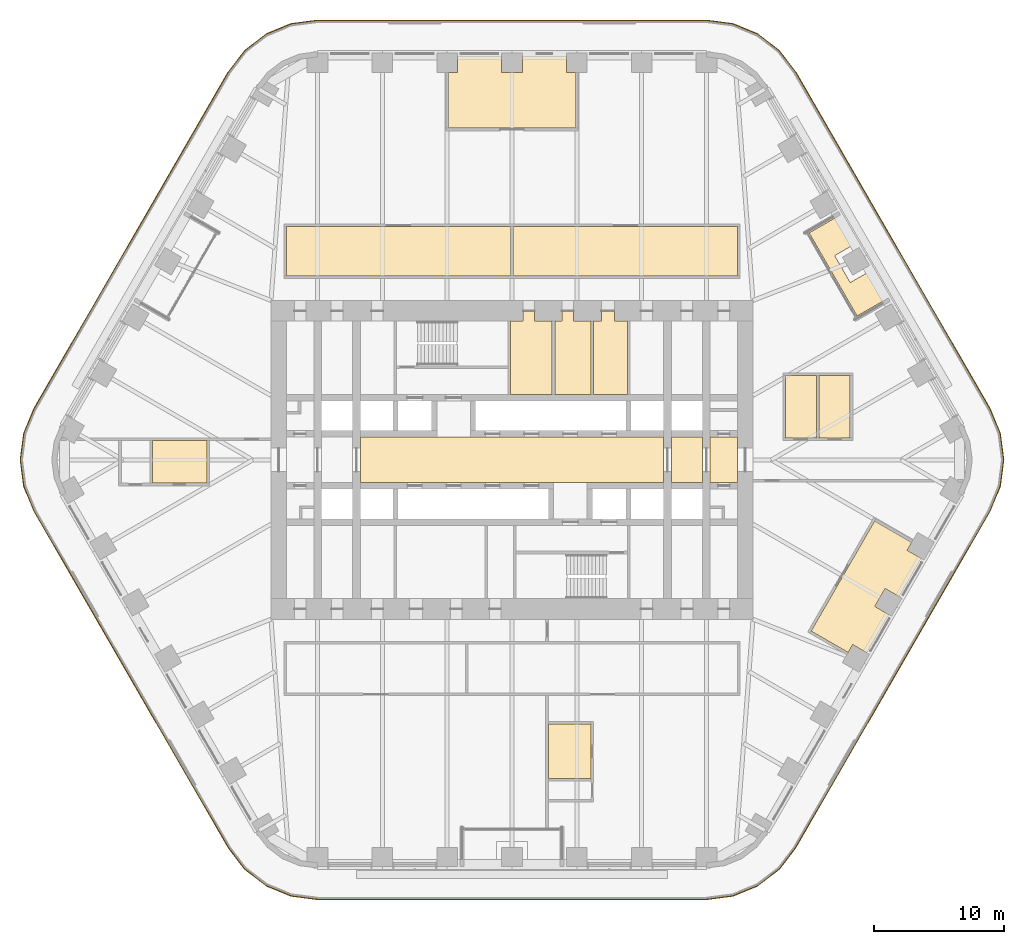
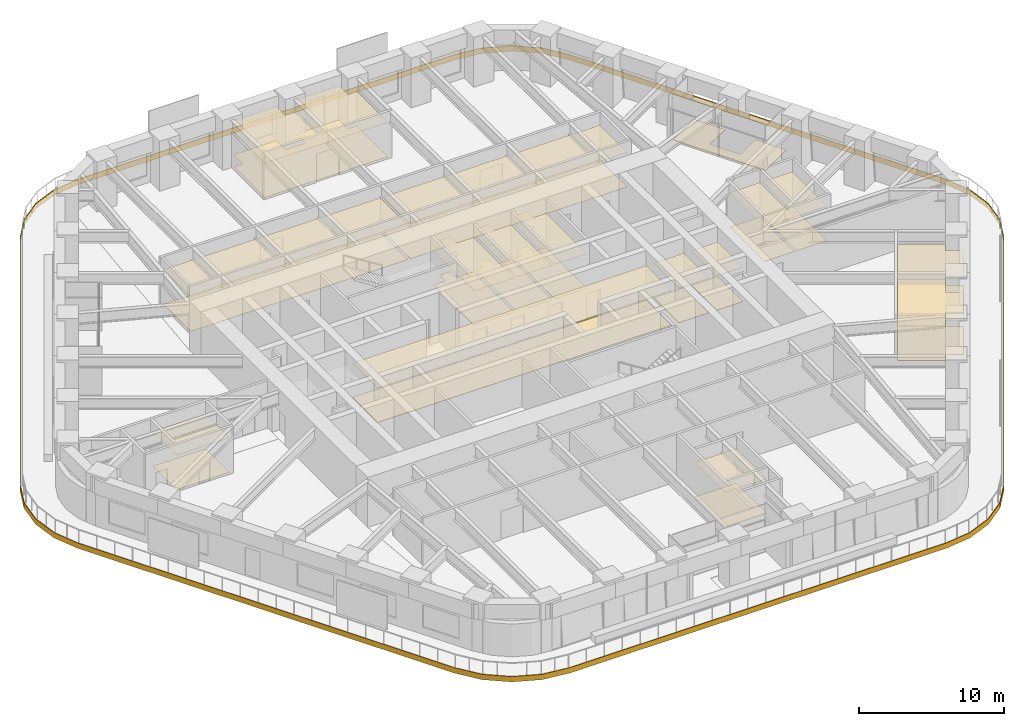
# One storey, part 23 of 24: 16 coverings.
"""IFC4 building model written with IfcOpenShell, lengths in metres."""

import ifcopenshell
import ifcopenshell.guid

model = None  # the IFC model being written
_history = None  # IfcOwnerHistory: only IFC2X3 demands one
_inside = {}  # id of a spatial element -> (the spatial element, [elements in it])
_under = {}  # id of a project, library or spatial element -> (it, [spatial elements below it])
_declared = {}  # id of a project -> (the project, [libraries it declares])
_typed = {}  # id of a type object -> (the type object, [elements of that type])
_made_of = {}  # id of a material, layer set ... -> (it, [elements and type objects made of it])


def new_model(schema):
    """Start an empty IFC model of exactly this schema.

    Asked for "IFC4X3", IfcOpenShell would pick the latest addendum, in which some entities
    have other attributes; the version numbers below select the first issue.
    IFC2X3 requires an IfcOwnerHistory on every rooted entity: one is made here for all.
    """
    global model, _history
    if schema == "IFC4X3":
        model = ifcopenshell.file(schema_version=(4, 3, 0, 0))
    else:
        model = ifcopenshell.file(schema=schema)
    _inside.clear()
    _under.clear()
    _declared.clear()
    _typed.clear()
    _made_of.clear()
    _history = None
    if model.schema == "IFC2X3":
        org = make("IfcOrganization", Name="unknown")
        user = make(
            "IfcPersonAndOrganization",
            ThePerson=make("IfcPerson", FamilyName="unknown"),
            TheOrganization=org,
        )
        app = make(
            "IfcApplication",
            ApplicationDeveloper=org,
            Version="unknown",
            ApplicationFullName="unknown",
            ApplicationIdentifier="unknown",
        )
        _history = make(
            "IfcOwnerHistory",
            OwningUser=user,
            OwningApplication=app,
            ChangeAction="ADDED",
            CreationDate=0,
        )
    return model


def make(cls, **values):
    """One entity of the class cls with the attributes given. An attribute that is None is left unset."""
    return model.create_entity(
        cls, **{name: value for name, value in values.items() if value is not None}
    )


def rooted(cls, **values):
    """An entity with a GlobalId (a new one), such as an element, a storey or a relation."""
    return make(cls, GlobalId=ifcopenshell.guid.new(), OwnerHistory=_history, **values)


def si_unit(unit_type, name, prefix=None):
    """IfcSIUnit, for example si_unit("LENGTHUNIT", "METRE", prefix="MILLI")."""
    return make("IfcSIUnit", UnitType=unit_type, Prefix=prefix, Name=name)


def assignment(units):
    """IfcUnitAssignment: the units of a project."""
    return None if units is None else make("IfcUnitAssignment", Units=units)


def point(xyz):
    """IfcCartesianPoint."""
    return None if xyz is None else make("IfcCartesianPoint", Coordinates=xyz)


def direction(xyz):
    """IfcDirection."""
    return None if xyz is None else make("IfcDirection", DirectionRatios=xyz)


def frame(location, z_axis=None, x_axis=None):
    """IfcAxis2Placement3D, a coordinate frame: its origin and axes. An axis left out is left unset."""
    return make(
        "IfcAxis2Placement3D",
        Location=point(location),
        Axis=direction(z_axis),
        RefDirection=direction(x_axis),
    )


def origin():
    """The frame at (0, 0, 0) with its axes left unset."""
    return frame((0.0, 0.0, 0.0))


def place(relative_to, where):
    """IfcLocalPlacement: puts the frame where relative to a parent placement (None: the world)."""
    return make(
        "IfcLocalPlacement", PlacementRelTo=relative_to, RelativePlacement=where
    )


def context(
    kind, dimensions, precision=None, world=None, true_north=None, identifier=None
):
    """IfcGeometricRepresentationContext, for example the 3D "Model" context."""
    return make(
        "IfcGeometricRepresentationContext",
        ContextIdentifier=identifier,
        ContextType=kind,
        CoordinateSpaceDimension=dimensions,
        Precision=precision,
        WorldCoordinateSystem=world,
        TrueNorth=true_north,
    )


def subcontext(parent, identifier, kind, view, scale=None):
    """IfcGeometricRepresentationSubContext, for example "Body" below "Model"."""
    return make(
        "IfcGeometricRepresentationSubContext",
        ContextIdentifier=identifier,
        ContextType=kind,
        ParentContext=parent,
        TargetScale=scale,
        TargetView=view,
    )


def project(units=None, contexts=None):
    """IfcProject with its units and contexts."""
    return rooted(
        "IfcProject",
        Name="project",
        RepresentationContexts=contexts,
        UnitsInContext=assignment(units),
    )


def spatial(cls, under=None, at=None, **own):
    """A site, building, storey or space (cls), placed at a placement, below another one or the project."""
    s = rooted(cls, ObjectPlacement=at, **own)
    if under is not None:
        _under.setdefault(under.id(), (under, []))[1].append(s)
    return s


def polyline(points):
    """IfcPolyline through the points."""
    return make("IfcPolyline", Points=[point(p) for p in points])


def outline(outer, holes=None, kind="AREA"):
    """IfcArbitraryClosedProfileDef: a profile drawn as a closed curve; with holes, ...WithVoids."""
    if holes is None:
        return make("IfcArbitraryClosedProfileDef", ProfileType=kind, OuterCurve=outer)
    return make(
        "IfcArbitraryProfileDefWithVoids",
        ProfileType=kind,
        OuterCurve=outer,
        InnerCurves=holes,
    )


def extrude(swept, where, along, depth):
    """IfcExtrudedAreaSolid: the profile swept, set in the frame where, extruded along a direction by depth."""
    return make(
        "IfcExtrudedAreaSolid",
        SweptArea=swept,
        Position=where,
        ExtrudedDirection=direction(along),
        Depth=depth,
    )


def shape(context_of_items, identifier, shape_type, items):
    """IfcShapeRepresentation: the items that make up one representation, for example the "Body"."""
    return make(
        "IfcShapeRepresentation",
        ContextOfItems=context_of_items,
        RepresentationIdentifier=identifier,
        RepresentationType=shape_type,
        Items=items,
    )


def material(Name=None, Category=None):
    """IfcMaterial."""
    return make("IfcMaterial", Name=Name, Category=Category)


def layer(
    of_material, thickness, ventilated=None, Name=None, Category=None, Priority=None
):
    """IfcMaterialLayer: one layer of a wall or slab, of a material (None: an air gap)."""
    return make(
        "IfcMaterialLayer",
        Material=of_material,
        LayerThickness=thickness,
        IsVentilated=ventilated,
        Name=Name,
        Category=Category,
        Priority=Priority,
    )


def layer_set(layers, Name=None):
    """IfcMaterialLayerSet."""
    return make("IfcMaterialLayerSet", MaterialLayers=layers, LayerSetName=Name)


def made_of(thing, what):
    """Note that an element or type object is made of a material, layer set ...; save() writes the relation."""
    if what is not None:
        _made_of.setdefault(what.id(), (what, []))[1].append(thing)
    return thing


def type_object(cls, material=None, **own):
    """A type object (cls), such as IfcWallType, which elements share."""
    return made_of(rooted(cls, **own), material)


def element(
    cls,
    number,
    at=None,
    inside=None,
    cuts=None,
    type_object=None,
    material=None,
    context=None,
    identifier="Body",
    shape_type=None,
    held_by="IfcProductDefinitionShape",
    body=None,
    shapes=None,
    **own,
):
    """One element of the class cls, such as IfcWall. Its Tag is "e" and its number.

    at: its placement. inside: the storey or other place that contains it. cuts: it is an
    opening in that element (IfcRelVoidsElement). A single representation is given by context,
    identifier, shape_type and body (its items); several are given by shapes. held_by: the class
    of the entity that holds the representations. save() writes the other relations.
    """
    e = rooted(cls, Tag="e%d" % number, ObjectPlacement=at, **own)
    if body is not None:
        shapes = [shape(context, identifier, shape_type, body)]
    if shapes is not None:
        e.Representation = make(held_by, Representations=shapes)
    if inside is not None:
        _inside.setdefault(inside.id(), (inside, []))[1].append(e)
    if cuts is not None:
        rooted(
            "IfcRelVoidsElement", RelatingBuildingElement=cuts, RelatedOpeningElement=e
        )
    if type_object is not None:
        _typed.setdefault(type_object.id(), (type_object, []))[1].append(e)
    return made_of(e, material)


def aggregate(whole, parts):
    """IfcRelAggregates: a whole, such as a stair, and the parts it consists of."""
    return rooted("IfcRelAggregates", RelatingObject=whole, RelatedObjects=parts)


def save(model, path):
    """Write the relations noted so far, then the file.

    IfcRelAggregates (storeys below a building ...), IfcRelContainedInSpatialStructure (elements
    in a storey), IfcRelDefinesByType, IfcRelAssociatesMaterial and IfcRelDeclares: one each for
    every whole, place, type object, material and project.
    """
    for whole, parts in _under.values():
        aggregate(whole, parts)
    for where, things in _inside.values():
        rooted(
            "IfcRelContainedInSpatialStructure",
            RelatedElements=things,
            RelatingStructure=where,
        )
    for kind, things in _typed.values():
        rooted("IfcRelDefinesByType", RelatedObjects=things, RelatingType=kind)
    for what, things in _made_of.values():
        rooted("IfcRelAssociatesMaterial", RelatedObjects=things, RelatingMaterial=what)
    for by, libraries in _declared.values():
        rooted("IfcRelDeclares", RelatingContext=by, RelatedDefinitions=libraries)
    model.write(path)


model = new_model("IFC4")

# Units and contexts
model_context = context("Model", 3, precision=1e-05, world=origin(), true_north=direction((0.0, 1.0)))
body_context = subcontext(model_context, "Body", "Model", "MODEL_VIEW")
ifc_project = project(units=[si_unit("LENGTHUNIT", "METRE"), si_unit("AREAUNIT", "SQUARE_METRE"), si_unit("VOLUMEUNIT", "CUBIC_METRE"), si_unit("PLANEANGLEUNIT", "RADIAN"), si_unit("MASSUNIT", "GRAM", prefix="KILO")], contexts=[model_context])

# Site, building, storey
site_placement = place(None, origin())
site = spatial("IfcSite", under=ifc_project, at=site_placement, CompositionType="ELEMENT")
building_placement = place(site_placement, origin())
building = spatial("IfcBuilding", under=site, at=building_placement, Name="Tarfa Lantern Tower", CompositionType="ELEMENT")
storey_placement = place(building_placement, frame((0.0, 0.0, 157.300048828125)))
storey = spatial("IfcBuildingStorey", under=building, at=storey_placement, Name="L35", CompositionType="ELEMENT", Elevation=157.300048828125)

# Coverings
ifc_material_1 = material(Name="Mineral fibre acoustic tile on suspension grid", Category="finish")
ifc_layer_1 = layer(ifc_material_1, 0.02001953125)
ifc_layer_set_1 = layer_set([ifc_layer_1], Name="CL1 ACOUSTIC TILE CEILING 20")
covering_type_1 = type_object("IfcCoveringType", Name="CL1 ACOUSTIC TILE CEILING 20", PredefinedType="CEILING", material=ifc_layer_set_1)
covering_1_placement = place(storey_placement, frame((0.0, 0.0, 2.89990234375)))
element("IfcCovering", 1, at=covering_1_placement, inside=storey, type_object=covering_type_1, Name="Ceiling L35 CL1", PredefinedType="CEILING", context=body_context, shape_type="SweptSolid", body=[
    extrude(outline(polyline([(-17.39990234375, 18.0), (-0.10009765625, 18.0), (-0.10009765625, 14.199951171875), (-17.39990234375, 14.199951171875), (-17.39990234375, 18.0)])), origin(), (0.0, 0.0, 1.0), 0.02001953125),
    extrude(outline(polyline([(0.10009765625, 18.0), (17.39990234375, 18.0), (17.39990234375, 14.199951171875), (0.10009765625, 14.199951171875), (0.10009765625, 18.0)])), origin(), (0.0, 0.0, 1.0), 0.02001953125),
    extrude(outline(polyline([(4.90380859375, 25.60009765625), (-4.90380859375, 25.60009765625), (-4.90380859375, 29.89990234375), (-4.20361328125, 29.89990234375), (-4.20361328125, 31.14990234375), (-0.800048828125, 31.14990234375), (-0.800048828125, 29.89990234375), (0.800048828125, 29.89990234375), (0.800048828125, 31.14990234375), (4.20361328125, 31.14990234375), (4.20361328125, 29.89990234375), (4.90380859375, 29.89990234375), (4.90380859375, 25.60009765625)])), origin(), (0.0, 0.0, 1.0), 0.02001953125),
    extrude(outline(polyline([(27.989990234375, -4.719970703125), (30.847900390625, -6.369873046875), (30.497802734375, -6.97607421875), (31.580322265625, -7.60107421875), (29.878662109375, -10.548828125), (28.7958984375, -9.923828125), (27.99609375, -11.3095703125), (29.07861328125, -11.9345703125), (27.376708984375, -14.882080078125), (26.294189453125, -14.257080078125), (25.944091796875, -14.86328125), (23.086181640625, -13.21337890625), (27.989990234375, -4.719970703125)])), origin(), (0.0, 0.0, 1.0), 0.02001953125),
    extrude(outline(polyline([(21.10009765625, 6.5), (23.5, 6.5), (23.5, 1.699951171875), (21.10009765625, 1.699951171875), (21.10009765625, 6.5)])), origin(), (0.0, 0.0, 1.0), 0.02001953125),
    extrude(outline(polyline([(23.699951171875, 6.5), (26.10009765625, 6.5), (26.10009765625, 1.699951171875), (23.699951171875, 1.699951171875), (23.699951171875, 6.5)])), origin(), (0.0, 0.0, 1.0), 0.02001953125),
    extrude(outline(polyline([(-27.7509765625, -1.800048828125), (-27.7509765625, 1.5), (-23.551025390625, 1.5), (-23.551025390625, -1.800048828125), (-27.7509765625, -1.800048828125)])), origin(), (0.0, 0.0, 1.0), 0.02001953125),
    extrude(outline(polyline([(6.10009765625, -24.60009765625), (2.800048828125, -24.60009765625), (2.800048828125, -20.39990234375), (6.10009765625, -20.39990234375), (6.10009765625, -24.60009765625)])), origin(), (0.0, 0.0, 1.0), 0.02001953125),
])
ifc_material_2 = material(Name="Moisture-resistant plasterboard", Category="finish")
ifc_layer_2 = layer(ifc_material_2, 0.014892578125)
ifc_layer_set_2 = layer_set([ifc_layer_2], Name="CL2 MOISTURE-RESISTANT PLASTERBOARD CEILING 15")
covering_type_2 = type_object("IfcCoveringType", Name="CL2 MOISTURE-RESISTANT PLASTERBOARD CEILING 15", PredefinedType="CEILING", material=ifc_layer_set_2)
covering_2_placement = place(storey_placement, frame((0.0, 0.0, 2.89990234375)))
element("IfcCovering", 2, at=covering_2_placement, inside=storey, type_object=covering_type_2, Name="Ceiling L35-09", PredefinedType="CEILING", context=body_context, shape_type="SweptSolid", body=[
    extrude(outline(polyline([(0.85009765625, 10.699951171875), (-0.10009765625, 10.699951171875), (-0.10009765625, 5.050048828125), (3.10009765625, 5.050048828125), (3.10009765625, 10.699951171875), (1.75, 10.699951171875), (1.75, 11.5), (0.85009765625, 11.5), (0.85009765625, 10.699951171875)])), origin(), (0.0, 0.0, 1.0), 0.01513671875),
])
covering_3_placement = place(storey_placement, frame((0.0, 0.0, 2.89990234375)))
element("IfcCovering", 3, at=covering_3_placement, inside=storey, type_object=covering_type_2, Name="Ceiling L35-10", PredefinedType="CEILING", context=body_context, shape_type="SweptSolid", body=[
    extrude(outline(polyline([(3.300048828125, 5.050048828125), (6.10009765625, 5.050048828125), (6.10009765625, 10.699951171875), (4.75, 10.699951171875), (4.75, 11.5), (3.85009765625, 11.5), (3.85009765625, 10.699951171875), (3.300048828125, 10.699951171875), (3.300048828125, 5.050048828125)])), origin(), (0.0, 0.0, 1.0), 0.01513671875),
])
covering_4_placement = place(storey_placement, frame((0.0, 0.0, 2.89990234375)))
element("IfcCovering", 4, at=covering_4_placement, inside=storey, type_object=covering_type_2, Name="Ceiling L35-11", PredefinedType="CEILING", context=body_context, shape_type="SweptSolid", body=[
    extrude(outline(polyline([(6.300048828125, 5.050048828125), (8.89990234375, 5.050048828125), (8.89990234375, 10.699951171875), (7.89990234375, 10.699951171875), (7.89990234375, 11.5), (6.89990234375, 11.5), (6.89990234375, 10.699951171875), (6.300048828125, 10.699951171875), (6.300048828125, 5.050048828125)])), origin(), (0.0, 0.0, 1.0), 0.01513671875),
])
ifc_material_3 = material(Name="Powder-coated aluminium panel", Category="aluminium")
ifc_layer_3 = layer(ifc_material_3, 0.030029296875)
ifc_layer_set_3 = layer_set([ifc_layer_3], Name="CL3 METAL PANEL CEILING 30")
covering_type_3 = type_object("IfcCoveringType", Name="CL3 METAL PANEL CEILING 30", PredefinedType="CEILING", material=ifc_layer_set_3)
covering_5_placement = place(storey_placement, frame((0.0, 0.0, 2.89990234375)))
element("IfcCovering", 5, at=covering_5_placement, inside=storey, type_object=covering_type_3, Name="Ceiling L35-03", PredefinedType="CEILING", context=body_context, shape_type="SweptSolid", body=[
    extrude(outline(polyline([(-11.699951171875, -1.75), (11.699951171875, -1.75), (11.699951171875, 1.75), (-11.699951171875, 1.75), (-11.699951171875, -1.75)])), origin(), (0.0, 0.0, 1.0), 0.030029296875),
])
covering_6_placement = place(storey_placement, frame((0.0, 0.0, 2.89990234375)))
element("IfcCovering", 6, at=covering_6_placement, inside=storey, type_object=covering_type_3, Name="Ceiling L35-04", PredefinedType="CEILING", context=body_context, shape_type="SweptSolid", body=[
    extrude(outline(polyline([(12.300048828125, -1.75), (14.699951171875, -1.75), (14.699951171875, 1.75), (12.300048828125, 1.75), (12.300048828125, -1.75)])), origin(), (0.0, 0.0, 1.0), 0.030029296875),
])
covering_7_placement = place(storey_placement, frame((0.0, 0.0, 2.89990234375)))
element("IfcCovering", 7, at=covering_7_placement, inside=storey, type_object=covering_type_3, Name="Ceiling L35-05", PredefinedType="CEILING", context=body_context, shape_type="SweptSolid", body=[
    extrude(outline(polyline([(15.300048828125, -1.75), (17.39990234375, -1.75), (17.39990234375, 1.75), (15.300048828125, 1.75), (15.300048828125, -1.75)])), origin(), (0.0, 0.0, 1.0), 0.030029296875),
])
ifc_material_4 = material(Name="Nylon carpet tile", Category="finish")
ifc_layer_4 = layer(ifc_material_4, 0.010009765625)
ifc_layer_set_4 = layer_set([ifc_layer_4], Name="FL1 CARPET TILE 10")
covering_type_4 = type_object("IfcCoveringType", Name="FL1 CARPET TILE 10", PredefinedType="FLOORING", material=ifc_layer_set_4)
covering_8_placement = place(storey_placement, origin())
element("IfcCovering", 8, at=covering_8_placement, inside=storey, type_object=covering_type_4, Name="Floor finish L35 FL1", PredefinedType="FLOORING", context=body_context, shape_type="SweptSolid", body=[
    extrude(outline(polyline([(-17.39990234375, 18.0), (-0.10009765625, 18.0), (-0.10009765625, 14.199951171875), (-17.39990234375, 14.199951171875), (-17.39990234375, 18.0)])), origin(), (0.0, 0.0, 1.0), 0.010009765625),
    extrude(outline(polyline([(0.10009765625, 18.0), (17.39990234375, 18.0), (17.39990234375, 14.199951171875), (0.10009765625, 14.199951171875), (0.10009765625, 18.0)])), origin(), (0.0, 0.0, 1.0), 0.010009765625),
    extrude(outline(polyline([(4.90380859375, 25.60009765625), (-4.90380859375, 25.60009765625), (-4.90380859375, 29.89990234375), (-4.20361328125, 29.89990234375), (-4.20361328125, 31.14990234375), (-0.800048828125, 31.14990234375), (-0.800048828125, 29.89990234375), (0.800048828125, 29.89990234375), (0.800048828125, 31.14990234375), (4.20361328125, 31.14990234375), (4.20361328125, 29.89990234375), (4.90380859375, 29.89990234375), (4.90380859375, 25.60009765625)])), origin(), (0.0, 0.0, 1.0), 0.010009765625),
    extrude(outline(polyline([(27.989990234375, -4.719970703125), (30.847900390625, -6.369873046875), (30.497802734375, -6.97607421875), (31.580322265625, -7.60107421875), (29.878662109375, -10.548828125), (28.7958984375, -9.923828125), (27.99609375, -11.3095703125), (29.07861328125, -11.9345703125), (27.376708984375, -14.882080078125), (26.294189453125, -14.257080078125), (25.944091796875, -14.86328125), (23.086181640625, -13.21337890625), (27.989990234375, -4.719970703125)])), origin(), (0.0, 0.0, 1.0), 0.010009765625),
    extrude(outline(polyline([(21.10009765625, 6.5), (23.5, 6.5), (23.5, 1.699951171875), (21.10009765625, 1.699951171875), (21.10009765625, 6.5)])), origin(), (0.0, 0.0, 1.0), 0.010009765625),
    extrude(outline(polyline([(23.699951171875, 6.5), (26.10009765625, 6.5), (26.10009765625, 1.699951171875), (23.699951171875, 1.699951171875), (23.699951171875, 6.5)])), origin(), (0.0, 0.0, 1.0), 0.010009765625),
    extrude(outline(polyline([(-27.7509765625, -1.800048828125), (-27.7509765625, 1.5), (-23.551025390625, 1.5), (-23.551025390625, -1.800048828125), (-27.7509765625, -1.800048828125)])), origin(), (0.0, 0.0, 1.0), 0.010009765625),
    extrude(outline(polyline([(6.10009765625, -24.60009765625), (2.800048828125, -24.60009765625), (2.800048828125, -20.39990234375), (6.10009765625, -20.39990234375), (6.10009765625, -24.60009765625)])), origin(), (0.0, 0.0, 1.0), 0.010009765625),
])
ifc_material_5 = material(Name="Honed limestone flooring", Category="masonry")
ifc_layer_5 = layer(ifc_material_5, 0.030029296875)
ifc_layer_set_5 = layer_set([ifc_layer_5], Name="FL2 STONE FLOORING 30")
covering_type_5 = type_object("IfcCoveringType", Name="FL2 STONE FLOORING 30", PredefinedType="FLOORING", material=ifc_layer_set_5)
covering_9_placement = place(storey_placement, origin())
element("IfcCovering", 9, at=covering_9_placement, inside=storey, type_object=covering_type_5, Name="Floor finish L35-03", PredefinedType="FLOORING", context=body_context, shape_type="SweptSolid", body=[
    extrude(outline(polyline([(-11.699951171875, -1.75), (11.699951171875, -1.75), (11.699951171875, 1.75), (-11.699951171875, 1.75), (-11.699951171875, -1.75)])), origin(), (0.0, 0.0, 1.0), 0.030029296875),
])
covering_10_placement = place(storey_placement, origin())
element("IfcCovering", 10, at=covering_10_placement, inside=storey, type_object=covering_type_5, Name="Floor finish L35-04", PredefinedType="FLOORING", context=body_context, shape_type="SweptSolid", body=[
    extrude(outline(polyline([(12.300048828125, -1.75), (14.699951171875, -1.75), (14.699951171875, 1.75), (12.300048828125, 1.75), (12.300048828125, -1.75)])), origin(), (0.0, 0.0, 1.0), 0.030029296875),
])
covering_11_placement = place(storey_placement, origin())
element("IfcCovering", 11, at=covering_11_placement, inside=storey, type_object=covering_type_5, Name="Floor finish L35-05", PredefinedType="FLOORING", context=body_context, shape_type="SweptSolid", body=[
    extrude(outline(polyline([(15.300048828125, -1.75), (17.39990234375, -1.75), (17.39990234375, 1.75), (15.300048828125, 1.75), (15.300048828125, -1.75)])), origin(), (0.0, 0.0, 1.0), 0.030029296875),
])
ifc_material_6 = material(Name="Porcelain floor tile", Category="finish")
ifc_layer_6 = layer(ifc_material_6, 0.011962890625)
ifc_layer_set_6 = layer_set([ifc_layer_6], Name="FL3 CERAMIC TILE 12")
covering_type_6 = type_object("IfcCoveringType", Name="FL3 CERAMIC TILE 12", PredefinedType="FLOORING", material=ifc_layer_set_6)
covering_12_placement = place(storey_placement, origin())
element("IfcCovering", 12, at=covering_12_placement, inside=storey, type_object=covering_type_6, Name="Floor finish L35-09", PredefinedType="FLOORING", context=body_context, shape_type="SweptSolid", body=[
    extrude(outline(polyline([(0.85009765625, 10.699951171875), (-0.10009765625, 10.699951171875), (-0.10009765625, 5.050048828125), (3.10009765625, 5.050048828125), (3.10009765625, 10.699951171875), (1.75, 10.699951171875), (1.75, 11.5), (0.85009765625, 11.5), (0.85009765625, 10.699951171875)])), origin(), (0.0, 0.0, 1.0), 0.011962890625),
])
covering_13_placement = place(storey_placement, origin())
element("IfcCovering", 13, at=covering_13_placement, inside=storey, type_object=covering_type_6, Name="Floor finish L35-10", PredefinedType="FLOORING", context=body_context, shape_type="SweptSolid", body=[
    extrude(outline(polyline([(3.300048828125, 5.050048828125), (6.10009765625, 5.050048828125), (6.10009765625, 10.699951171875), (4.75, 10.699951171875), (4.75, 11.5), (3.85009765625, 11.5), (3.85009765625, 10.699951171875), (3.300048828125, 10.699951171875), (3.300048828125, 5.050048828125)])), origin(), (0.0, 0.0, 1.0), 0.011962890625),
])
covering_14_placement = place(storey_placement, origin())
element("IfcCovering", 14, at=covering_14_placement, inside=storey, type_object=covering_type_6, Name="Floor finish L35-11", PredefinedType="FLOORING", context=body_context, shape_type="SweptSolid", body=[
    extrude(outline(polyline([(6.300048828125, 5.050048828125), (8.89990234375, 5.050048828125), (8.89990234375, 10.699951171875), (7.89990234375, 10.699951171875), (7.89990234375, 11.5), (6.89990234375, 11.5), (6.89990234375, 10.699951171875), (6.300048828125, 10.699951171875), (6.300048828125, 5.050048828125)])), origin(), (0.0, 0.0, 1.0), 0.011962890625),
])
ifc_material_7 = material(Name="Porcelain pavers on pedestals", Category="ceramic")
ifc_layer_7 = layer(ifc_material_7, 0.0400390625)
ifc_layer_set_7 = layer_set([ifc_layer_7], Name="LP1 LOGGIA PAVING 40")
covering_type_7 = type_object("IfcCoveringType", Name="LP1 LOGGIA PAVING 40", PredefinedType="FLOORING", material=ifc_layer_set_7)
covering_15_placement = place(storey_placement, origin())
element("IfcCovering", 15, at=covering_15_placement, inside=storey, type_object=covering_type_7, Name="Loggia paving NE", PredefinedType="FLOORING", context=body_context, shape_type="SweptSolid", body=[
    extrude(outline(polyline([(29.131591796875, 12.54248046875), (26.637451171875, 11.1025390625), (22.933837890625, 17.517578125), (25.427978515625, 18.95751953125), (26.6796875, 16.789306640625), (24.904541015625, 15.76416015625), (26.1044921875, 13.685791015625), (27.8798828125, 14.710693359375), (29.131591796875, 12.54248046875)])), origin(), (0.0, 0.0, 1.0), 0.0400390625),
])
ifc_material_8 = material(Name="Limestone cladding on brackets", Category="masonry")
ifc_layer_8 = layer(ifc_material_8, 0.050048828125)
ifc_layer_set_8 = layer_set([ifc_layer_8], Name="SB1 STONE BAND CLADDING 50")
covering_type_8 = type_object("IfcCoveringType", Name="SB1 STONE BAND CLADDING 50", PredefinedType="CLADDING", material=ifc_layer_set_8)
covering_16_placement = place(storey_placement, frame((0.0, 0.0, -0.400146484375)))
element("IfcCovering", 16, at=covering_16_placement, inside=storey, type_object=covering_type_8, Name="Stone band", PredefinedType="CLADDING", context=body_context, shape_type="SweptSolid", body=[
    extrude(outline(polyline([(36.9072265625, 3.97509765625), (21.89599609375, 29.97509765625), (20.632568359375, 31.62158203125), (18.986083984375, 32.885009765625), (17.068603515625, 33.67919921875), (15.010986328125, 33.949951171875), (-15.010986328125, 33.949951171875), (-17.068603515625, 33.67919921875), (-18.986083984375, 32.885009765625), (-20.632568359375, 31.62158203125), (-21.89599609375, 29.97509765625), (-36.9072265625, 3.97509765625), (-37.701416015625, 2.0576171875), (-37.97216796875, 0.0), (-37.701416015625, -2.0576171875), (-36.9072265625, -3.97509765625), (-21.89599609375, -29.97509765625), (-20.632568359375, -31.62158203125), (-18.986083984375, -32.885009765625), (-17.068603515625, -33.67919921875), (-15.010986328125, -33.949951171875), (15.010986328125, -33.949951171875), (17.068603515625, -33.67919921875), (18.986083984375, -32.885009765625), (20.632568359375, -31.62158203125), (21.89599609375, -29.97509765625), (36.9072265625, -3.97509765625), (37.701416015625, -2.0576171875), (37.97216796875, 0.0), (37.701416015625, 2.0576171875), (36.9072265625, 3.97509765625)]), holes=[polyline([(36.86376953125, 3.949951171875), (21.852783203125, 29.949951171875), (20.59716796875, 31.586181640625), (18.961181640625, 32.841552734375), (17.0556640625, 33.630859375), (15.010986328125, 33.89990234375), (-15.010986328125, 33.89990234375), (-17.0556640625, 33.630859375), (-18.961181640625, 32.841552734375), (-20.59716796875, 31.586181640625), (-21.852783203125, 29.949951171875), (-36.86376953125, 3.949951171875), (-37.653076171875, 2.044677734375), (-37.922119140625, 0.0), (-37.653076171875, -2.044677734375), (-36.86376953125, -3.949951171875), (-21.852783203125, -29.949951171875), (-20.59716796875, -31.586181640625), (-18.961181640625, -32.841552734375), (-17.0556640625, -33.630859375), (-15.010986328125, -33.89990234375), (15.010986328125, -33.89990234375), (17.0556640625, -33.630859375), (18.961181640625, -32.841552734375), (20.59716796875, -31.586181640625), (21.852783203125, -29.949951171875), (36.86376953125, -3.949951171875), (37.653076171875, -2.044677734375), (37.922119140625, 0.0), (37.653076171875, 2.044677734375), (36.86376953125, 3.949951171875)])]), origin(), (0.0, 0.0, 1.0), 0.4501953125),
])

save(model, "model.ifc")
